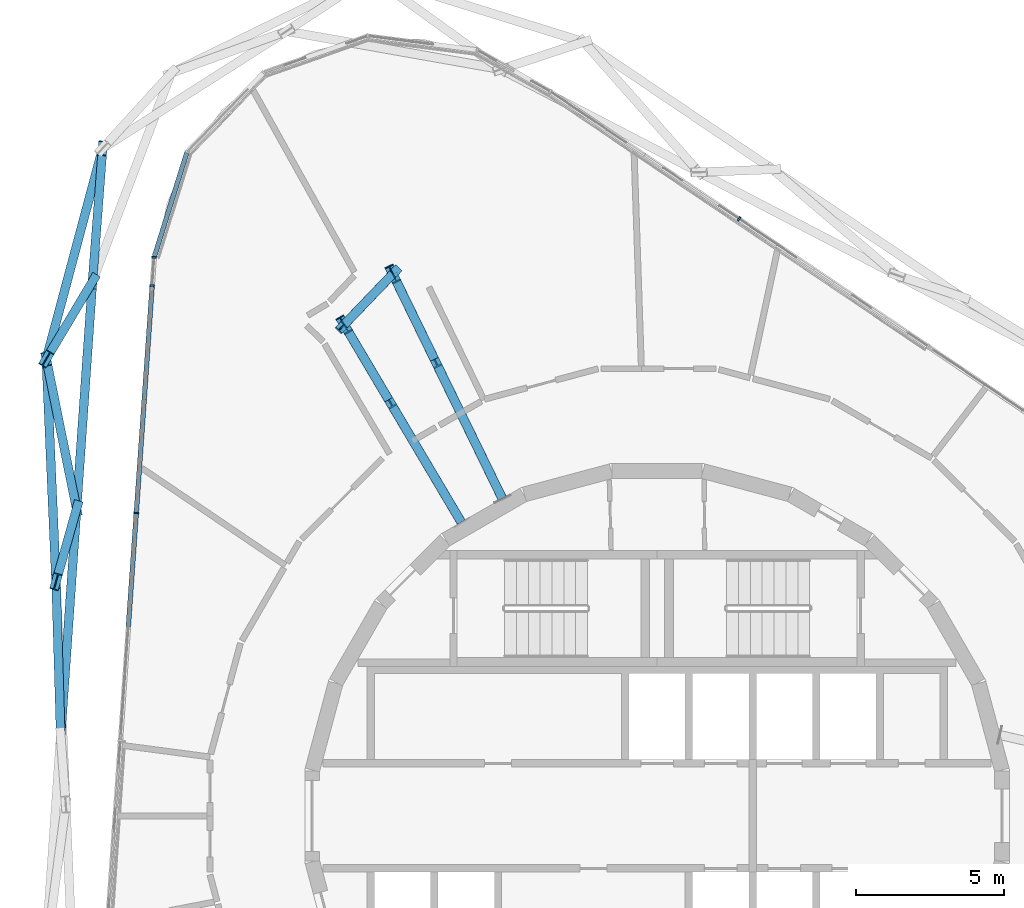
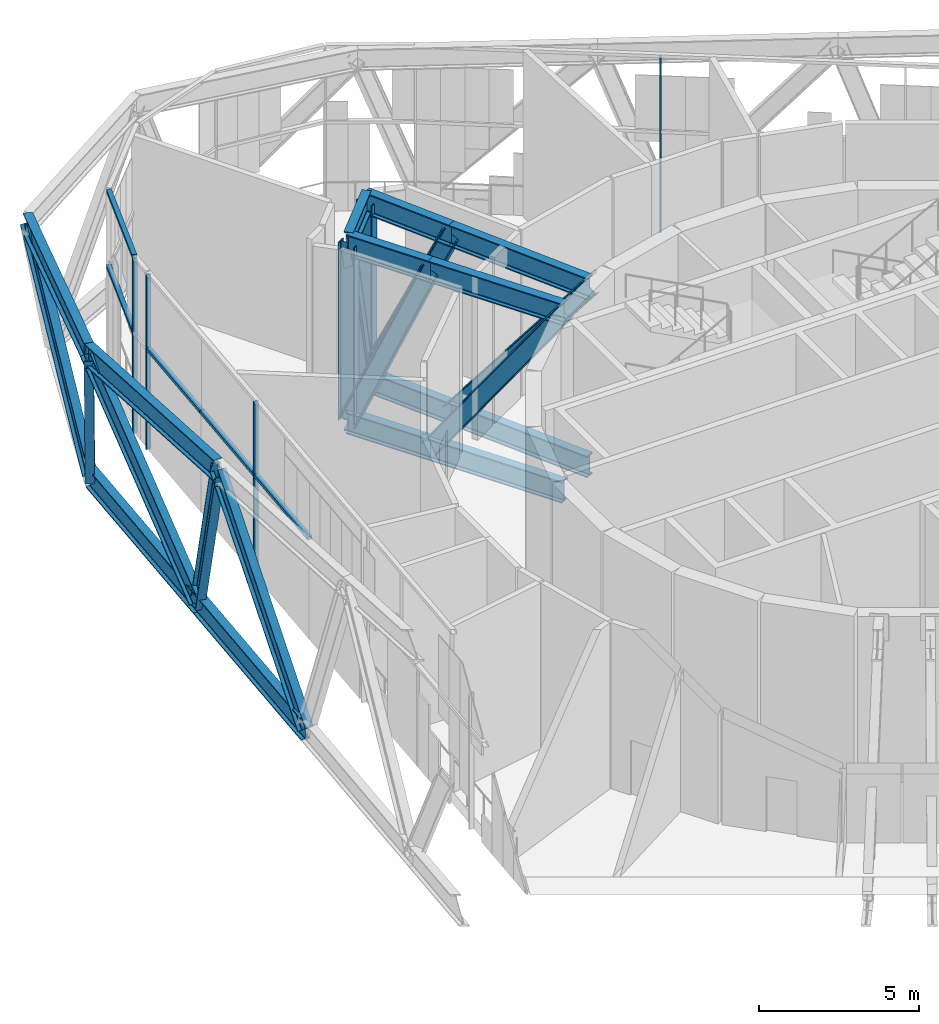
# One storey, part 5 of 24: 35 members, 3 elements without a shape of their own.
"""IFC4 building model written with IfcOpenShell, lengths in metres."""

from ifc_helpers import new_model, si_unit, direction, frame, origin, origin_2d, place, context, subcontext, project, spatial, rectangle, i_section, extrude, material, layer, layer_set, material_profile, profile_set, type_object, element, aggregate, save


model = new_model("IFC4")

# Units and contexts
model_context = context("Model", 3, precision=1e-05, world=origin(), true_north=direction((0.0, 1.0)))
body_context = subcontext(model_context, "Body", "Model", "MODEL_VIEW")
ifc_project = project(units=[si_unit("LENGTHUNIT", "METRE"), si_unit("AREAUNIT", "SQUARE_METRE"), si_unit("VOLUMEUNIT", "CUBIC_METRE"), si_unit("PLANEANGLEUNIT", "RADIAN"), si_unit("MASSUNIT", "GRAM", prefix="KILO")], contexts=[model_context])

# Site, building, storey
site_placement = place(None, origin())
site = spatial("IfcSite", under=ifc_project, at=site_placement, CompositionType="ELEMENT")
building_placement = place(site_placement, origin())
building = spatial("IfcBuilding", under=site, at=building_placement, Name="Spindle Arch Residences", CompositionType="ELEMENT")
storey_placement = place(building_placement, frame((0.0, 0.0, 219.89990234375)))
storey = spatial("IfcBuildingStorey", under=building, at=storey_placement, Name="L56", CompositionType="ELEMENT", Elevation=219.89990234375)

# Members
ifc_material_1 = material(Name="Steel S460ML, intumescent coating R 240", Category="steel")
ifc_material_profile_1 = material_profile(ifc_material_1, i_section(OverallWidth=0.302978515625, OverallDepth=0.81396484375, WebThickness=0.02099609375, FlangeThickness=0.0400390625, FilletRadius=0.030029296875, at=origin_2d()), Name="HEM 800")
ifc_profile_set_1 = profile_set([ifc_material_profile_1], Name="Steel S460ML, intumescent coating R 240")
member_type_1 = type_object("IfcMemberType", Name="Belt truss chord HEM 800", PredefinedType="CHORD", material=ifc_profile_set_1)
member_1_placement = place(storey_placement, frame((-19.068603515625, 18.043701171875, -0.85693359375), z_axis=(-0.069749549772, -0.997564534407, 0.0), x_axis=(0.997564534407, -0.069749549772, 0.0)))
element("IfcMember", 1, at=member_1_placement, inside=storey, type_object=member_type_1, Name="Belt truss bottom chord L56.13", PredefinedType="CHORD", context=body_context, shape_type="SweptSolid", body=[
    extrude(i_section(OverallWidth=0.302978515625, OverallDepth=0.81396484375, WebThickness=0.02099609375, FlangeThickness=0.0400390625, FilletRadius=0.030029296875, at=origin_2d()), origin(), (0.0, 0.0, 1.0), 7.693603515625),
])
member_2_placement = place(storey_placement, frame((-19.605224609375, 10.368896484375, -0.85693359375), z_axis=(-0.069747341856, -0.997564688782, 0.0), x_axis=(0.997564688782, -0.069747341856, 0.0)))
element("IfcMember", 2, at=member_2_placement, inside=storey, type_object=member_type_1, Name="Belt truss bottom chord L56.14", PredefinedType="CHORD", context=body_context, shape_type="SweptSolid", body=[
    extrude(i_section(OverallWidth=0.302978515625, OverallDepth=0.81396484375, WebThickness=0.02099609375, FlangeThickness=0.0400390625, FilletRadius=0.030029296875, at=origin_2d()), origin(), (0.0, 0.0, 1.0), 7.69384765625),
])
member_3_placement = place(storey_placement, frame((-18.724365234375, 22.545166015625, 5.943115234375), z_axis=(-0.258329004998, -0.966056998928, 0.0), x_axis=(0.966056998928, -0.258329004998, 0.0)))
element("IfcMember", 3, at=member_3_placement, inside=storey, type_object=member_type_1, Name="Belt truss top chord L56.12", PredefinedType="CHORD", context=body_context, shape_type="SweptSolid", body=[
    extrude(i_section(OverallWidth=0.302978515625, OverallDepth=0.81396484375, WebThickness=0.02099609375, FlangeThickness=0.0400390625, FilletRadius=0.030029296875, at=origin_2d()), origin(), (0.0, 0.0, 1.0), 7.364990234375),
])
member_4_placement = place(storey_placement, frame((-20.626953125, 15.43017578125, 5.943115234375), z_axis=(0.043607469261, -0.999048741866, 0.0), x_axis=(0.999048741866, 0.043607469261, 0.0)))
element("IfcMember", 4, at=member_4_placement, inside=storey, type_object=member_type_1, Name="Belt truss top chord L56.13", PredefinedType="CHORD", context=body_context, shape_type="SweptSolid", body=[
    extrude(i_section(OverallWidth=0.302978515625, OverallDepth=0.81396484375, WebThickness=0.02099609375, FlangeThickness=0.0400390625, FilletRadius=0.030029296875, at=origin_2d()), origin(), (0.0, 0.0, 1.0), 7.530029296875),
])
ifc_material_2 = material(Name="Steel S460ML, intumescent coating R 240", Category="steel")
ifc_material_profile_2 = material_profile(ifc_material_2, i_section(OverallWidth=0.300048828125, OverallDepth=0.60009765625, WebThickness=0.015380859375, FlangeThickness=0.030029296875, FilletRadius=0.027099609375, at=origin_2d()), Name="HEB 600")
ifc_profile_set_2 = profile_set([ifc_material_profile_2], Name="Steel S460ML, intumescent coating R 240")
member_type_2 = type_object("IfcMemberType", Name="Belt truss diagonal HEB 600", PredefinedType="BRACE", material=ifc_profile_set_2)
member_5_placement = place(storey_placement, frame((-19.068603515625, 18.043701171875, -0.85693359375), z_axis=(0.042174427069, 0.551497933545, 0.833109444789), x_axis=(-0.997088740858, 0.076249871169, 0.0)))
element("IfcMember", 5, at=member_5_placement, inside=storey, type_object=member_type_2, Name="Belt truss diagonal L56.12.13", PredefinedType="BRACE", context=body_context, shape_type="SweptSolid", body=[
    extrude(i_section(OverallWidth=0.300048828125, OverallDepth=0.60009765625, WebThickness=0.015380859375, FlangeThickness=0.030029296875, FilletRadius=0.027099609375, at=origin_2d()), origin(), (0.0, 0.0, 1.0), 8.162353515625),
])
member_6_placement = place(storey_placement, frame((-19.068603515625, 18.043701171875, -0.85693359375), z_axis=(-0.20917984778, -0.35081783965, 0.912781811095), x_axis=(0.858905573693, -0.51213398196, 0.0)))
element("IfcMember", 6, at=member_6_placement, inside=storey, type_object=member_type_2, Name="Belt truss diagonal L56.13.13", PredefinedType="BRACE", context=body_context, shape_type="SweptSolid", body=[
    extrude(i_section(OverallWidth=0.300048828125, OverallDepth=0.60009765625, WebThickness=0.015380859375, FlangeThickness=0.030029296875, FilletRadius=0.027099609375, at=origin_2d()), origin(), (0.0, 0.0, 1.0), 7.44970703125),
])
member_7_placement = place(storey_placement, frame((-19.605224609375, 10.368896484375, -0.85693359375), z_axis=(-0.119665332123, 0.592779450476, 0.796424969085), x_axis=(-0.980226284196, -0.197879841752, 0.0)))
element("IfcMember", 7, at=member_7_placement, inside=storey, type_object=member_type_2, Name="Belt truss diagonal L56.13.14", PredefinedType="BRACE", context=body_context, shape_type="SweptSolid", body=[
    extrude(i_section(OverallWidth=0.300048828125, OverallDepth=0.60009765625, WebThickness=0.015380859375, FlangeThickness=0.030029296875, FilletRadius=0.027099609375, at=origin_2d()), origin(), (0.0, 0.0, 1.0), 8.538330078125),
])
member_8_placement = place(storey_placement, frame((-19.605224609375, 10.368896484375, -0.85693359375), z_axis=(-0.095437408573, -0.338836405156, 0.935992303166), x_axis=(0.962547459527, -0.271113238625, 0.0)))
element("IfcMember", 8, at=member_8_placement, inside=storey, type_object=member_type_2, Name="Belt truss diagonal L56.14.14", PredefinedType="BRACE", context=body_context, shape_type="SweptSolid", body=[
    extrude(i_section(OverallWidth=0.300048828125, OverallDepth=0.60009765625, WebThickness=0.015380859375, FlangeThickness=0.030029296875, FilletRadius=0.027099609375, at=origin_2d()), origin(), (0.0, 0.0, 1.0), 7.26513671875),
])
member_9_placement = place(storey_placement, frame((-20.141845703125, 2.69384765625, -0.85693359375), z_axis=(-0.018289224516, 0.608330374335, 0.793473162702), x_axis=(-0.99954836531, -0.030051046667, 0.0)))
element("IfcMember", 9, at=member_9_placement, inside=storey, type_object=member_type_2, Name="Belt truss diagonal L56.14.15", PredefinedType="BRACE", context=body_context, shape_type="SweptSolid", body=[
    extrude(i_section(OverallWidth=0.300048828125, OverallDepth=0.60009765625, WebThickness=0.015380859375, FlangeThickness=0.030029296875, FilletRadius=0.027099609375, at=origin_2d()), origin(), (0.0, 0.0, 1.0), 8.570068359375),
])

# Curtain wall, member
ifc_material_3 = material(Name="Aluminium bronze unitised frame with tinted glass", Category="aluminium")
ifc_layer = layer(ifc_material_3, 0.159912109375)
ifc_layer_set = layer_set([ifc_layer], Name="CW-E double-height winter garden wall")
curtain_wall_type = type_object("IfcCurtainWallType", Name="CW-E double-height winter garden wall", PredefinedType="NOTDEFINED", material=ifc_layer_set)
curtain_wall_1_placement = place(storey_placement, origin())
curtain_wall_1 = element("IfcCurtainWall", 10, at=curtain_wall_1_placement, inside=storey, type_object=curtain_wall_type, Name="CW-E L56 run 2", PredefinedType="NOTDEFINED")
ifc_material_4 = material(Name="Aluminium bronze anodised mullion", Category="aluminium")
ifc_material_profile_3 = material_profile(ifc_material_4, rectangle(XDim=0.159912109375, YDim=0.06005859375, at=origin_2d()), Name="MU 60x160")
ifc_profile_set_3 = profile_set([ifc_material_profile_3], Name="Aluminium bronze anodised mullion")
member_type_3 = type_object("IfcMemberType", Name="Bronze mullion 60x160", PredefinedType="MULLION", material=ifc_profile_set_3)
member_10_placement = place(storey_placement, frame((2.769775390625, 20.158203125, -0.449951171875), z_axis=(0.0, 0.0, 1.0), x_axis=(-0.559192903471, -0.829037572555, 0.0)))
member_10 = element("IfcMember", 11, at=member_10_placement, type_object=member_type_3, Name="CW-E mullion 08", PredefinedType="MULLION", context=body_context, shape_type="SweptSolid", body=[
    extrude(rectangle(XDim=0.159912109375, YDim=0.06005859375, at=origin_2d()), origin(), (0.0, 0.0, 1.0), 6.679931640625),
])
aggregate(curtain_wall_1, [member_10])

curtain_wall_2_placement = place(storey_placement, origin())
curtain_wall_2 = element("IfcCurtainWall", 12, at=curtain_wall_2_placement, inside=storey, type_object=curtain_wall_type, Name="CW-E L56 run 3", PredefinedType="NOTDEFINED")
member_11_placement = place(storey_placement, frame((-16.986328125, 18.864501953125, -0.449951171875), z_axis=(0.0, 0.0, 1.0), x_axis=(0.99756405026, -0.069756473744, 0.0)))
member_11 = element("IfcMember", 13, at=member_11_placement, type_object=member_type_3, Name="CW-E mullion 05", PredefinedType="MULLION", context=body_context, shape_type="SweptSolid", body=[
    extrude(rectangle(XDim=0.159912109375, YDim=0.06005859375, at=origin_2d()), origin(), (0.0, 0.0, 1.0), 6.679931640625),
])

# Curtain wall, members
curtain_wall_3_placement = place(storey_placement, origin())
curtain_wall_3 = element("IfcCurtainWall", 14, at=curtain_wall_3_placement, inside=storey, type_object=curtain_wall_type, Name="CW-E L56 run 4", PredefinedType="NOTDEFINED")
member_12_placement = place(storey_placement, frame((-17.053466796875, 17.90283203125, -0.449951171875), z_axis=(0.0, 0.0, 1.0), x_axis=(0.99756405026, -0.069756473744, 0.0)))
member_12 = element("IfcMember", 15, at=member_12_placement, type_object=member_type_3, Name="CW-E mullion 12", PredefinedType="MULLION", context=body_context, shape_type="SweptSolid", body=[
    extrude(rectangle(XDim=0.159912109375, YDim=0.06005859375, at=origin_2d()), origin(), (0.0, 0.0, 1.0), 6.679931640625),
])
member_13_placement = place(storey_placement, frame((-17.590087890625, 10.22802734375, -0.449951171875), z_axis=(0.0, 0.0, 1.0), x_axis=(0.99756405026, -0.069756473744, 0.0)))
member_13 = element("IfcMember", 16, at=member_13_placement, type_object=member_type_3, Name="CW-E mullion 13", PredefinedType="MULLION", context=body_context, shape_type="SweptSolid", body=[
    extrude(rectangle(XDim=0.159912109375, YDim=0.06005859375, at=origin_2d()), origin(), (0.0, 0.0, 1.0), 6.679931640625),
])

# Member
ifc_material_5 = material(Name="Aluminium bronze anodised transom", Category="aluminium")
ifc_material_profile_4 = material_profile(ifc_material_5, rectangle(XDim=0.159912109375, YDim=0.1201171875, at=origin_2d()), Name="TR 120x160")
ifc_profile_set_4 = profile_set([ifc_material_profile_4], Name="Aluminium bronze anodised transom")
member_type_4 = type_object("IfcMemberType", Name="Bronze transom 120x160", PredefinedType="USERDEFINED", material=ifc_profile_set_4)
member_14_placement = place(storey_placement, frame((-15.884765625, 22.393310546875, 6.2900390625), z_axis=(-0.297952730594, -0.95458062537, 0.0), x_axis=(0.95458062537, -0.297952730594, 0.0)))
member_14 = element("IfcMember", 17, at=member_14_placement, type_object=member_type_4, Name="CW-E transom 04", ObjectType="TRANSOM", PredefinedType="USERDEFINED", context=body_context, shape_type="SweptSolid", body=[
    extrude(rectangle(XDim=0.159912109375, YDim=0.1201171875, at=origin_2d()), origin(), (0.0, 0.0, 1.0), 3.666748046875),
])

member_15_placement = place(storey_placement, frame((-15.884765625, 22.393310546875, 3.400146484375), z_axis=(-0.297952730594, -0.95458062537, 0.0), x_axis=(0.95458062537, -0.297952730594, 0.0)))
member_15 = element("IfcMember", 18, at=member_15_placement, type_object=member_type_4, Name="CW-E transom 04m", ObjectType="TRANSOM", PredefinedType="USERDEFINED", context=body_context, shape_type="SweptSolid", body=[
    extrude(rectangle(XDim=0.159912109375, YDim=0.1201171875, at=origin_2d()), origin(), (0.0, 0.0, 1.0), 3.666748046875),
])

aggregate(curtain_wall_2, [member_14, member_15, member_11])

member_16_placement = place(storey_placement, frame((-17.0556640625, 17.873046875, 3.400146484375), z_axis=(-0.069719647406, -0.997566624725, 0.0), x_axis=(0.997566624725, -0.069719647406, 0.0)))
member_16 = element("IfcMember", 19, at=member_16_placement, type_object=member_type_4, Name="CW-E transom 12Am", ObjectType="TRANSOM", PredefinedType="USERDEFINED", context=body_context, shape_type="SweptSolid", body=[
    extrude(rectangle(XDim=0.159912109375, YDim=0.1201171875, at=origin_2d()), origin(), (0.0, 0.0, 1.0), 3.81689453125),
])

member_17_placement = place(storey_placement, frame((-17.32177734375, 14.0654296875, 3.400146484375), z_axis=(-0.069783299047, -0.997562174089, 0.0), x_axis=(0.997562174089, -0.069783299047, 0.0)))
member_17 = element("IfcMember", 20, at=member_17_placement, type_object=member_type_4, Name="CW-E transom 12Bm", ObjectType="TRANSOM", PredefinedType="USERDEFINED", context=body_context, shape_type="SweptSolid", body=[
    extrude(rectangle(XDim=0.159912109375, YDim=0.1201171875, at=origin_2d()), origin(), (0.0, 0.0, 1.0), 3.81689453125),
])

member_18_placement = place(storey_placement, frame((-17.59228515625, 10.197998046875, 3.400146484375), z_axis=(-0.069719647406, -0.997566624725, 0.0), x_axis=(0.997566624725, -0.069719647406, 0.0)))
member_18 = element("IfcMember", 21, at=member_18_placement, type_object=member_type_4, Name="CW-E transom 13Am", ObjectType="TRANSOM", PredefinedType="USERDEFINED", context=body_context, shape_type="SweptSolid", body=[
    extrude(rectangle(XDim=0.159912109375, YDim=0.1201171875, at=origin_2d()), origin(), (0.0, 0.0, 1.0), 3.81689453125),
])

aggregate(curtain_wall_3, [member_12, member_16, member_17, member_13, member_18])

# Members
ifc_material_6 = material(Name="Steel S460ML, intumescent coating R 240", Category="steel")
ifc_material_profile_5 = material_profile(ifc_material_6, i_section(OverallWidth=0.302978515625, OverallDepth=0.81396484375, WebThickness=0.02099609375, FlangeThickness=0.0400390625, FilletRadius=0.030029296875, at=origin_2d()), Name="HEM 800")
ifc_profile_set_5 = profile_set([ifc_material_profile_5], Name="Steel S460ML, intumescent coating R 240")
member_type_5 = type_object("IfcMemberType", Name="Transfer truss chord HEM 800", PredefinedType="CHORD", material=ifc_profile_set_5)
for number, where, z_axis, x_axis, name in (
    (22, (-5.228271484375, 10.719482421875, -0.85693359375), (-0.438359247424, 0.89879984991, 0.0), (-0.89879984991, -0.438359247424, 0.0), "Transfer truss chord L56"),
    (23, (-5.228271484375, 10.719482421875, 5.943115234375), (-0.438359247424, 0.89879984991, 0.0), (-0.89879984991, -0.438359247424, 0.0), "Transfer truss chord L56"),
):
    element("IfcMember", number, at=place(storey_placement, frame(where, z_axis=z_axis, x_axis=x_axis)), inside=storey, type_object=member_type_5, Name=name, PredefinedType="CHORD", context=body_context, shape_type="SweptSolid", body=[
        extrude(i_section(OverallWidth=0.302978515625, OverallDepth=0.81396484375, WebThickness=0.02099609375, FlangeThickness=0.0400390625, FilletRadius=0.030029296875, at=origin_2d()), origin(), (0.0, 0.0, 1.0), 5.229736328125),
    ])
for number, where, z_axis, x_axis, name in (
    (24, (-7.520751953125, 15.419921875, -0.85693359375), (-0.438356099343, 0.898801385273, 0.0), (-0.898801385273, -0.438356099343, 0.0), "Transfer truss chord L56"),
    (25, (-7.520751953125, 15.419921875, 5.943115234375), (-0.438356099343, 0.898801385273, 0.0), (-0.898801385273, -0.438356099343, 0.0), "Transfer truss chord L56"),
):
    element("IfcMember", number, at=place(storey_placement, frame(where, z_axis=z_axis, x_axis=x_axis)), inside=storey, type_object=member_type_5, Name=name, PredefinedType="CHORD", context=body_context, shape_type="SweptSolid", body=[
        extrude(i_section(OverallWidth=0.302978515625, OverallDepth=0.81396484375, WebThickness=0.02099609375, FlangeThickness=0.0400390625, FilletRadius=0.030029296875, at=origin_2d()), origin(), (0.0, 0.0, 1.0), 3.205322265625),
    ])
for number, where, z_axis, x_axis, name in (
    (26, (-8.92578125, 18.30078125, -0.85693359375), (-0.692186903353, -0.721718290489, 0.0), (0.721718290489, -0.692186903353, 0.0), "Transfer truss chord L56"),
    (27, (-8.92578125, 18.30078125, 5.943115234375), (-0.692186903353, -0.721718290489, 0.0), (0.721718290489, -0.692186903353, 0.0), "Transfer truss chord L56"),
):
    element("IfcMember", number, at=place(storey_placement, frame(where, z_axis=z_axis, x_axis=x_axis)), inside=storey, type_object=member_type_5, Name=name, PredefinedType="CHORD", context=body_context, shape_type="SweptSolid", body=[
        extrude(i_section(OverallWidth=0.302978515625, OverallDepth=0.81396484375, WebThickness=0.02099609375, FlangeThickness=0.0400390625, FilletRadius=0.030029296875, at=origin_2d()), origin(), (0.0, 0.0, 1.0), 2.37255859375),
    ])
for number, where, z_axis, x_axis, name in (
    (28, (-6.614990234375, 9.918701171875, -0.85693359375), (-0.509865036606, 0.860254406816, 0.0), (-0.860254406816, -0.509865036606, 0.0), "Transfer truss chord L56"),
    (29, (-6.614990234375, 9.918701171875, 5.943115234375), (-0.509865036606, 0.860254406816, 0.0), (-0.860254406816, -0.509865036606, 0.0), "Transfer truss chord L56"),
):
    element("IfcMember", number, at=place(storey_placement, frame(where, z_axis=z_axis, x_axis=x_axis)), inside=storey, type_object=member_type_5, Name=name, PredefinedType="CHORD", context=body_context, shape_type="SweptSolid", body=[
        extrude(i_section(OverallWidth=0.302978515625, OverallDepth=0.81396484375, WebThickness=0.02099609375, FlangeThickness=0.0400390625, FilletRadius=0.030029296875, at=origin_2d()), origin(), (0.0, 0.0, 1.0), 4.80712890625),
    ])
for number, where, z_axis, x_axis, name in (
    (30, (-9.06591796875, 14.053955078125, -0.85693359375), (-0.509881890161, 0.860244417643, 0.0), (-0.860244417643, -0.509881890161, 0.0), "Transfer truss chord L56"),
    (31, (-9.06591796875, 14.053955078125, 5.943115234375), (-0.509881890161, 0.860244417643, 0.0), (-0.860244417643, -0.509881890161, 0.0), "Transfer truss chord L56"),
):
    element("IfcMember", number, at=place(storey_placement, frame(where, z_axis=z_axis, x_axis=x_axis)), inside=storey, type_object=member_type_5, Name=name, PredefinedType="CHORD", context=body_context, shape_type="SweptSolid", body=[
        extrude(i_section(OverallWidth=0.302978515625, OverallDepth=0.81396484375, WebThickness=0.02099609375, FlangeThickness=0.0400390625, FilletRadius=0.030029296875, at=origin_2d()), origin(), (0.0, 0.0, 1.0), 2.9462890625),
    ])
ifc_material_7 = material(Name="Steel S460ML, intumescent coating R 240", Category="steel")
ifc_material_profile_6 = material_profile(ifc_material_7, i_section(OverallWidth=0.304931640625, OverallDepth=0.6201171875, WebThickness=0.02099609375, FlangeThickness=0.0400390625, FilletRadius=0.027099609375, at=origin_2d()), Name="HEM 600")
ifc_profile_set_6 = profile_set([ifc_material_profile_6], Name="Steel S460ML, intumescent coating R 240")
member_type_6 = type_object("IfcMemberType", Name="Transfer truss diagonal HEM 600", PredefinedType="BRACE", material=ifc_profile_set_6)
member_19_placement = place(storey_placement, frame((-7.520751953125, 15.419921875, -0.85693359375), z_axis=(0.267236312395, -0.547934049258, 0.792687221419), x_axis=(0.89879984991, 0.438359247424, 0.0)))
element("IfcMember", 32, at=member_19_placement, inside=storey, type_object=member_type_6, Name="Transfer truss diagonal L56", PredefinedType="BRACE", context=body_context, shape_type="SweptSolid", body=[
    extrude(i_section(OverallWidth=0.304931640625, OverallDepth=0.6201171875, WebThickness=0.02099609375, FlangeThickness=0.0400390625, FilletRadius=0.027099609375, at=origin_2d()), origin(), (0.0, 0.0, 1.0), 8.578369140625),
])
member_20_placement = place(storey_placement, frame((-8.92578125, 18.30078125, -0.85693359375), z_axis=(0.186898961009, -0.383215940904, 0.90455200017), x_axis=(0.898801385273, 0.438356099343, 0.0)))
element("IfcMember", 33, at=member_20_placement, inside=storey, type_object=member_type_6, Name="Transfer truss diagonal L56", PredefinedType="BRACE", context=body_context, shape_type="SweptSolid", body=[
    extrude(i_section(OverallWidth=0.304931640625, OverallDepth=0.6201171875, WebThickness=0.02099609375, FlangeThickness=0.0400390625, FilletRadius=0.027099609375, at=origin_2d()), origin(), (0.0, 0.0, 1.0), 7.517578125),
])
member_21_placement = place(storey_placement, frame((-8.92578125, 18.30078125, -0.85693359375), z_axis=(-0.228035426757, -0.237764305526, 0.944175820047), x_axis=(0.721718290489, -0.692186903353, 0.0)))
element("IfcMember", 34, at=member_21_placement, inside=storey, type_object=member_type_6, Name="Transfer truss diagonal L56", PredefinedType="BRACE", context=body_context, shape_type="SweptSolid", body=[
    extrude(i_section(OverallWidth=0.304931640625, OverallDepth=0.6201171875, WebThickness=0.02099609375, FlangeThickness=0.0400390625, FilletRadius=0.027099609375, at=origin_2d()), origin(), (0.0, 0.0, 1.0), 7.2021484375),
])
member_22_placement = place(storey_placement, frame((-9.06591796875, 14.053955078125, -0.85693359375), z_axis=(0.294315696263, -0.496575282728, 0.816572874591), x_axis=(0.860254406816, 0.509865036606, 0.0)))
element("IfcMember", 35, at=member_22_placement, inside=storey, type_object=member_type_6, Name="Transfer truss diagonal L56", PredefinedType="BRACE", context=body_context, shape_type="SweptSolid", body=[
    extrude(i_section(OverallWidth=0.304931640625, OverallDepth=0.6201171875, WebThickness=0.02099609375, FlangeThickness=0.0400390625, FilletRadius=0.027099609375, at=origin_2d()), origin(), (0.0, 0.0, 1.0), 8.32763671875),
])
member_23_placement = place(storey_placement, frame((-10.568115234375, 16.58837890625, -0.85693359375), z_axis=(0.202702670148, -0.341988691502, 0.917581256565), x_axis=(0.860244417643, 0.509881890161, 0.0)))
element("IfcMember", 36, at=member_23_placement, inside=storey, type_object=member_type_6, Name="Transfer truss diagonal L56", PredefinedType="BRACE", context=body_context, shape_type="SweptSolid", body=[
    extrude(i_section(OverallWidth=0.304931640625, OverallDepth=0.6201171875, WebThickness=0.02099609375, FlangeThickness=0.0400390625, FilletRadius=0.027099609375, at=origin_2d()), origin(), (0.0, 0.0, 1.0), 7.410888671875),
])
ifc_material_8 = material(Name="Steel S460ML, intumescent coating R 240", Category="steel")
ifc_material_profile_7 = material_profile(ifc_material_8, i_section(OverallWidth=0.300048828125, OverallDepth=0.60009765625, WebThickness=0.015380859375, FlangeThickness=0.030029296875, FilletRadius=0.027099609375, at=origin_2d()), Name="HEB 600")
ifc_profile_set_7 = profile_set([ifc_material_profile_7], Name="Steel S460ML, intumescent coating R 240")
member_type_7 = type_object("IfcMemberType", Name="Transfer truss post HEB 600", PredefinedType="POST", material=ifc_profile_set_7)
member_24_placement = place(storey_placement, frame((-8.92578125, 18.30078125, -0.449951171875), z_axis=(0.0, 0.0, 1.0), x_axis=(0.898793979674, 0.438371283391, 0.0)))
element("IfcMember", 37, at=member_24_placement, inside=storey, type_object=member_type_7, Name="Transfer truss post L56", PredefinedType="POST", context=body_context, shape_type="SweptSolid", body=[
    extrude(i_section(OverallWidth=0.300048828125, OverallDepth=0.60009765625, WebThickness=0.015380859375, FlangeThickness=0.030029296875, FilletRadius=0.027099609375, at=origin_2d()), origin(), (0.0, 0.0, 1.0), 6.39306640625),
])
member_25_placement = place(storey_placement, frame((-10.568115234375, 16.58837890625, -0.85693359375), z_axis=(0.0, 0.0, 1.0), x_axis=(0.860261882585, 0.50985242313, 0.0)))
element("IfcMember", 38, at=member_25_placement, inside=storey, type_object=member_type_7, Name="Transfer truss post L56", PredefinedType="POST", context=body_context, shape_type="SweptSolid", body=[
    extrude(i_section(OverallWidth=0.300048828125, OverallDepth=0.60009765625, WebThickness=0.015380859375, FlangeThickness=0.030029296875, FilletRadius=0.027099609375, at=origin_2d()), origin(), (0.0, 0.0, 1.0), 6.800048828125),
])

save(model, "model.ifc")
